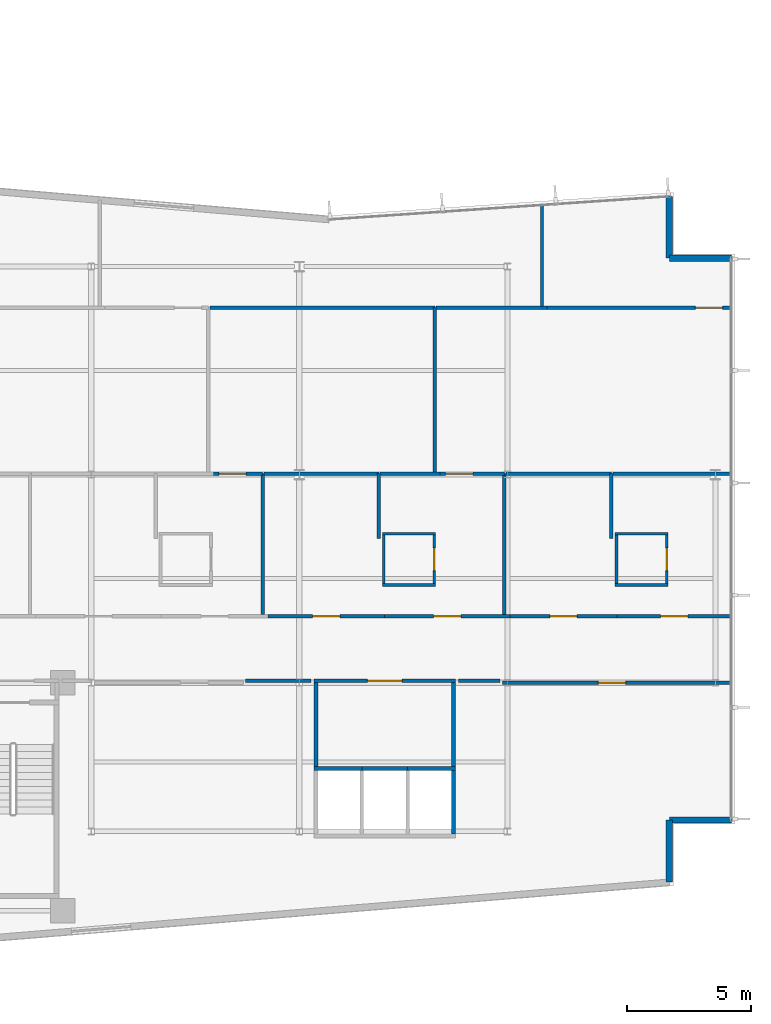
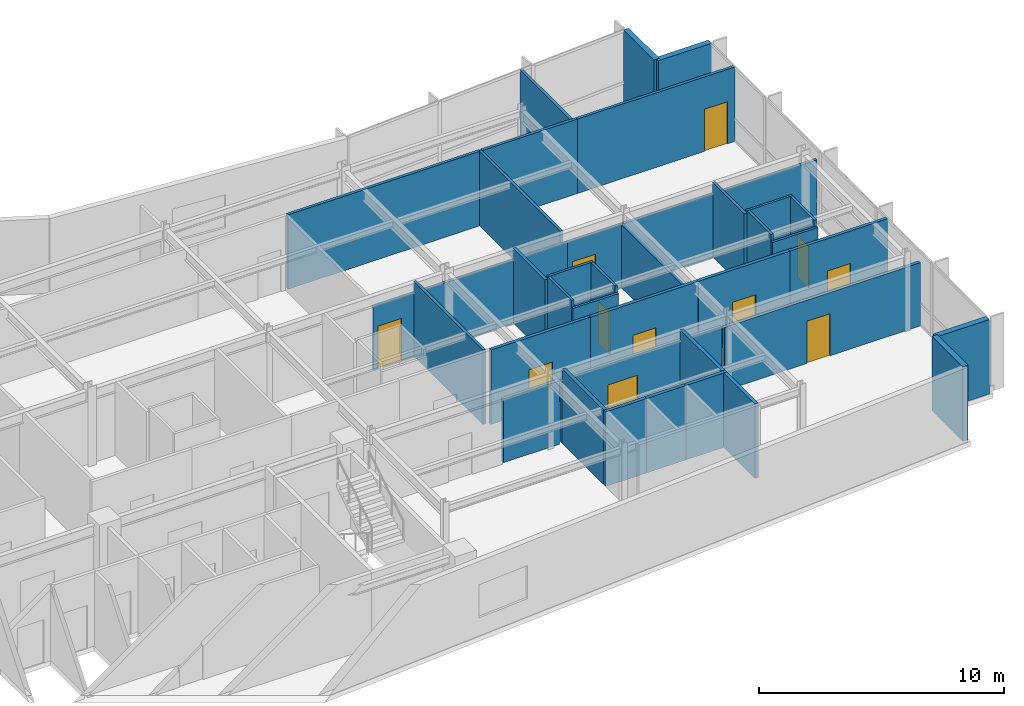
# One storey, part 13 of 17: 41 walls, 11 doors, 11 openings.
"""IFC4 building model written with IfcOpenShell, lengths in metres."""

from ifc_helpers import new_model, si_unit, direction, frame, frame_2d, origin, place, context, subcontext, project, spatial, rectangle, extrude, material, layer, layer_set, type_object, element, fill, save


model = new_model("IFC4")

# Units and contexts
model_context = context("Model", 3, precision=1e-05, world=origin(), true_north=direction((0.0, 1.0)))
body_context = subcontext(model_context, "Body", "Model", "MODEL_VIEW")
ifc_project = project(units=[si_unit("LENGTHUNIT", "METRE"), si_unit("AREAUNIT", "SQUARE_METRE"), si_unit("VOLUMEUNIT", "CUBIC_METRE"), si_unit("PLANEANGLEUNIT", "RADIAN"), si_unit("MASSUNIT", "GRAM", prefix="KILO")], contexts=[model_context])

# Site, building, storey
site_placement = place(None, origin())
site = spatial("IfcSite", under=ifc_project, at=site_placement, CompositionType="ELEMENT")
building_placement = place(site_placement, origin())
building = spatial("IfcBuilding", under=site, at=building_placement, Name="Varnakote Quay Hospital", CompositionType="ELEMENT")
storey_placement = place(building_placement, frame((0.0, 0.0, 184.199951171875)))
storey = spatial("IfcBuildingStorey", under=building, at=storey_placement, Name="L45", CompositionType="ELEMENT", Elevation=184.199951171875)

# Walls
ifc_material_1 = material(Name="Fire-rated acoustic gypsum stud wall", Category="gypsum")
ifc_layer_1 = layer(ifc_material_1, 0.159912109375)
ifc_layer_set_1 = layer_set([ifc_layer_1], Name="Fire-rated acoustic gypsum stud wall")
wall_type_1 = type_object("IfcWallType", Name="WL-COMP-160", PredefinedType="PARTITIONING", material=ifc_layer_set_1)
for number, where, z_axis, x_axis, name in (
    (1, (34.27001953125, 8.610107421875, 0.0), (0.0, 0.0, 1.0), (0.0, 1.0, 0.0), "L45 Mid-Rise Lift Lobby West Wall"),
    (2, (39.830078125, 8.610107421875, 0.0), (0.0, 0.0, 1.0), (0.0, 1.0, 0.0), "L45 Mid-Rise Lift Lobby East Wall"),
):
    element("IfcWall", number, at=place(storey_placement, frame(where, z_axis=z_axis, x_axis=x_axis)), inside=storey, type_object=wall_type_1, Name=name, PredefinedType="PARTITIONING", context=body_context, shape_type="SweptSolid", body=[
        extrude(rectangle(XDim=3.389892578125, YDim=0.159912109375, at=frame_2d((1.69482421875, 0.0))), origin(), (0.0, 0.0, 1.0), 3.7099609375),
    ])

# Wall, opening, door
wall_1_placement = place(storey_placement, frame((34.18994140625, 12.080078125, 0.0), z_axis=(0.0, 0.0, 1.0), x_axis=(1.0, 0.0, 0.0)))
wall_1 = element("IfcWall", 3, at=wall_1_placement, inside=storey, type_object=wall_type_1, Name="L45 Mid-Rise Lift Lobby North Wall", PredefinedType="PARTITIONING", context=body_context, shape_type="SweptSolid", body=[
    extrude(rectangle(XDim=5.719970703125, YDim=0.159912109375, at=frame_2d((2.85986328125, 0.0))), origin(), (0.0, 0.0, 1.0), 3.152099609375),
])
opening_1_placement = place(wall_1_placement, frame((2.159912109375, 0.0, 0.0)))
opening_1 = element("IfcOpeningElement", 4, at=opening_1_placement, cuts=wall_1, Name="Opening D-PMO-L45", PredefinedType="OPENING", context=body_context, shape_type="SweptSolid", body=[
    extrude(rectangle(XDim=1.39990234375, YDim=2.14990234375, at=frame_2d((0.699951171875, 1.074951171875))), frame((0.0, 0.08984375, 0.0), z_axis=(0.0, -1.0, 0.0), x_axis=(1.0, 0.0, 0.0)), (0.0, 0.0, 1.0), 0.179931640625),
])
ifc_material_2 = material(Name="Fire-rated acoustic plant room door")
door_type_1 = type_object("IfcDoorType", Name="DR-PLANT-FD60-1400x2150", OperationType="NOTDEFINED", PredefinedType="DOOR", material=ifc_material_2)
door_1_placement = place(opening_1_placement, origin())
door_1 = element("IfcDoor", 5, at=door_1_placement, inside=storey, type_object=door_type_1, Name="L45 Mid-Rise Traction Overrun Motor Plant Door", OperationType="SINGLE_SWING_LEFT", OverallHeight=2.14990234375, OverallWidth=1.39990234375, PredefinedType="DOOR", context=body_context, shape_type="SweptSolid", body=[
    extrude(rectangle(XDim=1.39990234375, YDim=2.14990234375, at=frame_2d((0.699951171875, 1.074951171875))), frame((0.0, 0.02490234375, 0.0), z_axis=(0.0, -1.0, 0.0), x_axis=(1.0, 0.0, 0.0)), (0.0, 0.0, 1.0), 0.050048828125),
])
fill(opening_1, door_1)

# Walls
wall_2_placement = place(storey_placement, frame((31.439208984375, 12.080078125, 0.0), z_axis=(0.0, 0.0, 1.0), x_axis=(1.0, 0.0, 0.0)))
element("IfcWall", 6, at=wall_2_placement, inside=storey, type_object=wall_type_1, Name="L45 Corridor South Gap Wall", PredefinedType="PARTITIONING", context=body_context, shape_type="SweptSolid", body=[
    extrude(rectangle(XDim=2.630859375, YDim=0.159912109375, at=frame_2d((1.3154296875, 0.0))), origin(), (0.0, 0.0, 1.0), 3.152099609375),
])
wall_3_placement = place(storey_placement, frame((40.030029296875, 12.080078125, 0.0), z_axis=(0.0, 0.0, 1.0), x_axis=(1.0, 0.0, 0.0)))
element("IfcWall", 7, at=wall_3_placement, inside=storey, type_object=wall_type_1, Name="L45 Corridor South Gap Wall", PredefinedType="PARTITIONING", context=body_context, shape_type="SweptSolid", body=[
    extrude(rectangle(XDim=1.6806640625, YDim=0.159912109375, at=frame_2d((0.84033203125, 0.0))), origin(), (0.0, 0.0, 1.0), 3.152099609375),
])
ifc_material_3 = material(Name="Moisture-resistant bathroom partition", Category="gypsum")
ifc_layer_2 = layer(ifc_material_3, 0.114990234375)
ifc_layer_set_2 = layer_set([ifc_layer_2], Name="Moisture-resistant bathroom partition")
wall_type_2 = type_object("IfcWallType", Name="WL-ENS-115", PredefinedType="PARTITIONING", material=ifc_layer_set_2)
wall_4_placement = place(storey_placement, frame((36.955078125, 15.952392578125, 0.0), z_axis=(0.0, 0.0, 1.0), x_axis=(1.0, 0.0, 0.0)))
element("IfcWall", 8, at=wall_4_placement, inside=storey, type_object=wall_type_2, Name="L45 Inpatient En-Suite Bathroom 03 S Wall", PredefinedType="PARTITIONING", context=body_context, shape_type="SweptSolid", body=[
    extrude(rectangle(XDim=2.14990234375, YDim=0.114990234375, at=frame_2d((1.074951171875, 0.0))), origin(), (0.0, 0.0, 1.0), 3.381103515625),
])
wall_5_placement = place(storey_placement, frame((36.955078125, 18.017578125, 0.0), z_axis=(0.0, 0.0, 1.0), x_axis=(1.0, 0.0, 0.0)))
element("IfcWall", 9, at=wall_5_placement, inside=storey, type_object=wall_type_2, Name="L45 Inpatient En-Suite Bathroom 03 N Wall", PredefinedType="PARTITIONING", context=body_context, shape_type="SweptSolid", body=[
    extrude(rectangle(XDim=2.14990234375, YDim=0.114990234375, at=frame_2d((1.074951171875, 0.0))), origin(), (0.0, 0.0, 1.0), 3.7099609375),
])
wall_6_placement = place(storey_placement, frame((37.012451171875, 16.010009765625, 0.0), z_axis=(0.0, 0.0, 1.0), x_axis=(0.0, 1.0, 0.0)))
element("IfcWall", 10, at=wall_6_placement, inside=storey, type_object=wall_type_2, Name="L45 Inpatient En-Suite Bathroom 03 W Wall", PredefinedType="PARTITIONING", context=body_context, shape_type="SweptSolid", body=[
    extrude(rectangle(XDim=1.949951171875, YDim=0.114990234375, at=frame_2d((0.97509765625, 0.0))), origin(), (0.0, 0.0, 1.0), 3.7099609375),
])

# Wall, opening, door
wall_7_placement = place(storey_placement, frame((39.047607421875, 16.010009765625, 0.0), z_axis=(0.0, 0.0, 1.0), x_axis=(0.0, 1.0, 0.0)))
wall_7 = element("IfcWall", 11, at=wall_7_placement, inside=storey, type_object=wall_type_2, Name="L45 Inpatient En-Suite Bathroom 03 E Wall", PredefinedType="PARTITIONING", context=body_context, shape_type="SweptSolid", body=[
    extrude(rectangle(XDim=1.949951171875, YDim=0.114990234375, at=frame_2d((0.97509765625, 0.0))), origin(), (0.0, 0.0, 1.0), 3.7099609375),
])
opening_2_placement = place(wall_7_placement, frame((0.514892578125, 0.0, 0.0)))
opening_2 = element("IfcOpeningElement", 12, at=opening_2_placement, cuts=wall_7, Name="Opening D-L45-ENS03", PredefinedType="OPENING", context=body_context, shape_type="SweptSolid", body=[
    extrude(rectangle(XDim=0.919921875, YDim=2.10009765625, at=frame_2d((0.4599609375, 1.050048828125))), frame((0.0, 0.0673828125, 0.0), z_axis=(0.0, -1.0, 0.0), x_axis=(1.0, 0.0, 0.0)), (0.0, 0.0, 1.0), 0.135009765625),
])
ifc_material_4 = material(Name="Moisture-sealed en-suite bathroom door")
door_type_2 = type_object("IfcDoorType", Name="DR-ENS-920x2100", OperationType="NOTDEFINED", PredefinedType="DOOR", material=ifc_material_4)
door_2_placement = place(opening_2_placement, origin())
door_2 = element("IfcDoor", 13, at=door_2_placement, inside=storey, type_object=door_type_2, Name="L45 Inpatient En-Suite Bathroom 03 Door", OperationType="SINGLE_SWING_LEFT", OverallHeight=2.10009765625, OverallWidth=0.919921875, PredefinedType="DOOR", context=body_context, shape_type="SweptSolid", body=[
    extrude(rectangle(XDim=0.919921875, YDim=2.10009765625, at=frame_2d((0.4599609375, 1.050048828125))), frame((0.0, 0.02490234375, 0.0), z_axis=(0.0, -1.0, 0.0), x_axis=(1.0, 0.0, 0.0)), (0.0, 0.0, 1.0), 0.050048828125),
])
fill(opening_2, door_2)

# Walls
wall_8_placement = place(storey_placement, frame((46.344970703125, 15.952392578125, 0.0), z_axis=(0.0, 0.0, 1.0), x_axis=(1.0, 0.0, 0.0)))
element("IfcWall", 14, at=wall_8_placement, inside=storey, type_object=wall_type_2, Name="L45 Inpatient En-Suite Bathroom 04 S Wall", PredefinedType="PARTITIONING", context=body_context, shape_type="SweptSolid", body=[
    extrude(rectangle(XDim=2.150146484375, YDim=0.114990234375, at=frame_2d((1.0751953125, 0.0))), origin(), (0.0, 0.0, 1.0), 3.381103515625),
])
wall_9_placement = place(storey_placement, frame((46.344970703125, 18.017578125, 0.0), z_axis=(0.0, 0.0, 1.0), x_axis=(1.0, 0.0, 0.0)))
element("IfcWall", 15, at=wall_9_placement, inside=storey, type_object=wall_type_2, Name="L45 Inpatient En-Suite Bathroom 04 N Wall", PredefinedType="PARTITIONING", context=body_context, shape_type="SweptSolid", body=[
    extrude(rectangle(XDim=2.150146484375, YDim=0.114990234375, at=frame_2d((1.0751953125, 0.0))), origin(), (0.0, 0.0, 1.0), 3.7099609375),
])
wall_10_placement = place(storey_placement, frame((46.402587890625, 16.010009765625, 0.0), z_axis=(0.0, 0.0, 1.0), x_axis=(0.0, 1.0, 0.0)))
element("IfcWall", 16, at=wall_10_placement, inside=storey, type_object=wall_type_2, Name="L45 Inpatient En-Suite Bathroom 04 W Wall", PredefinedType="PARTITIONING", context=body_context, shape_type="SweptSolid", body=[
    extrude(rectangle(XDim=1.949951171875, YDim=0.114990234375, at=frame_2d((0.97509765625, 0.0))), origin(), (0.0, 0.0, 1.0), 3.7099609375),
])

# Wall, opening, door
wall_11_placement = place(storey_placement, frame((48.4375, 16.010009765625, 0.0), z_axis=(0.0, 0.0, 1.0), x_axis=(0.0, 1.0, 0.0)))
wall_11 = element("IfcWall", 17, at=wall_11_placement, inside=storey, type_object=wall_type_2, Name="L45 Inpatient En-Suite Bathroom 04 E Wall", PredefinedType="PARTITIONING", context=body_context, shape_type="SweptSolid", body=[
    extrude(rectangle(XDim=1.949951171875, YDim=0.114990234375, at=frame_2d((0.97509765625, 0.0))), origin(), (0.0, 0.0, 1.0), 3.7099609375),
])
opening_3_placement = place(wall_11_placement, frame((0.514892578125, 0.0, 0.0)))
opening_3 = element("IfcOpeningElement", 18, at=opening_3_placement, cuts=wall_11, Name="Opening D-L45-ENS04", PredefinedType="OPENING", context=body_context, shape_type="SweptSolid", body=[
    extrude(rectangle(XDim=0.919921875, YDim=2.10009765625, at=frame_2d((0.4599609375, 1.050048828125))), frame((0.0, 0.0673828125, 0.0), z_axis=(0.0, -1.0, 0.0), x_axis=(1.0, 0.0, 0.0)), (0.0, 0.0, 1.0), 0.135009765625),
])
door_3_placement = place(opening_3_placement, origin())
door_3 = element("IfcDoor", 19, at=door_3_placement, inside=storey, type_object=door_type_2, Name="L45 Inpatient En-Suite Bathroom 04 Door", OperationType="SINGLE_SWING_RIGHT", OverallHeight=2.10009765625, OverallWidth=0.919921875, PredefinedType="DOOR", context=body_context, shape_type="SweptSolid", body=[
    extrude(rectangle(XDim=0.919921875, YDim=2.10009765625, at=frame_2d((0.4599609375, 1.050048828125))), frame((0.0, 0.02490234375, 0.0), z_axis=(0.0, -1.0, 0.0), x_axis=(1.0, 0.0, 0.0)), (0.0, 0.0, 1.0), 0.050048828125),
])
fill(opening_3, door_3)

# Walls
ifc_material_5 = material(Name="Precast concrete N50 (f'c 50 MPa)", Category="concrete")
ifc_layer_3 = layer(ifc_material_5, 0.260009765625)
ifc_layer_set_3 = layer_set([ifc_layer_3], Name="Precast concrete N50 (f'c 50 MPa)")
wall_type_3 = type_object("IfcWallType", Name="WL-EXT-BRICK-260", PredefinedType="STANDARD", material=ifc_layer_set_3)
wall_12_placement = place(storey_placement, frame((48.5400390625, 3.947509765625, 0.0), z_axis=(0.0, 0.0, 1.0), x_axis=(0.0, 1.0, 0.0)))
element("IfcWall", 20, at=wall_12_placement, inside=storey, type_object=wall_type_3, Name="L45 Brick-Faced Precast Exterior Wall", PredefinedType="STANDARD", context=body_context, shape_type="SweptSolid", body=[
    extrude(rectangle(XDim=2.512451171875, YDim=0.260009765625, at=frame_2d((1.25634765625, 0.0))), origin(), (0.0, 0.0, 1.0), 3.7099609375),
])
for number, where, z_axis, x_axis, name in (
    (21, (48.5400390625, 6.4599609375, 0.0), (0.0, 0.0, 1.0), (1.0, 0.0, 0.0), "L45 Brick-Faced Precast Exterior Wall"),
    (22, (51.0400390625, 29.139892578125, 0.0), (0.0, 0.0, 1.0), (-1.0, 0.0, 0.0), "L45 Brick-Faced Precast Exterior Wall"),
):
    element("IfcWall", number, at=place(storey_placement, frame(where, z_axis=z_axis, x_axis=x_axis)), inside=storey, type_object=wall_type_3, Name=name, PredefinedType="STANDARD", context=body_context, shape_type="SweptSolid", body=[
        extrude(rectangle(XDim=2.5, YDim=0.260009765625, at=frame_2d((1.25, 0.0))), origin(), (0.0, 0.0, 1.0), 3.7099609375),
    ])
wall_13_placement = place(storey_placement, frame((48.5400390625, 29.139892578125, 0.0), z_axis=(0.0, 0.0, 1.0), x_axis=(0.0, 1.0, 0.0)))
element("IfcWall", 23, at=wall_13_placement, inside=storey, type_object=wall_type_3, Name="L45 Brick-Faced Precast Exterior Wall", PredefinedType="STANDARD", context=body_context, shape_type="SweptSolid", body=[
    extrude(rectangle(XDim=2.489013671875, YDim=0.260009765625, at=frame_2d((1.24462890625, 0.0))), origin(), (0.0, 0.0, 1.0), 3.7099609375),
])
ifc_material_6 = material(Name="Concrete N50 (f'c 50 MPa)", Category="concrete")
ifc_layer_4 = layer(ifc_material_6, 0.159912109375)
ifc_layer_set_4 = layer_set([ifc_layer_4], Name="Concrete N50 (f'c 50 MPa)")
wall_type_4 = type_object("IfcWallType", Name="WL-SHAFT-N50-160", PredefinedType="SHEAR", material=ifc_layer_set_4)
wall_14_placement = place(storey_placement, frame((39.830078125, 5.89990234375, 0.0), z_axis=(0.0, 0.0, 1.0), x_axis=(0.0, 1.0, 0.0)))
element("IfcWall", 24, at=wall_14_placement, inside=storey, type_object=wall_type_4, Name="L45 MID Lift Bank East Shear Wall", PredefinedType="SHEAR", context=body_context, shape_type="SweptSolid", body=[
    extrude(rectangle(XDim=2.550048828125, YDim=0.159912109375, at=frame_2d((1.27490234375, 0.0))), origin(), (0.0, 0.0, 1.0), 3.7099609375),
])
wall_15_placement = place(storey_placement, frame((34.18994140625, 8.530029296875, 0.0), z_axis=(0.0, 0.0, 1.0), x_axis=(1.0, 0.0, 0.0)))
element("IfcWall", 25, at=wall_15_placement, inside=storey, type_object=wall_type_4, Name="L45 LF-PM1 Hoistway Front Wall", PredefinedType="SHEAR", context=body_context, shape_type="SweptSolid", body=[
    extrude(rectangle(XDim=1.93505859375, YDim=0.159912109375, at=frame_2d((0.967529296875, 0.0))), origin(), (0.0, 0.0, 1.0), 3.7099609375),
])
wall_16_placement = place(storey_placement, frame((36.125, 8.530029296875, 0.0), z_axis=(0.0, 0.0, 1.0), x_axis=(1.0, 0.0, 0.0)))
element("IfcWall", 26, at=wall_16_placement, inside=storey, type_object=wall_type_4, Name="L45 LF-PM2 Hoistway Front Wall", PredefinedType="SHEAR", context=body_context, shape_type="SweptSolid", body=[
    extrude(rectangle(XDim=1.85009765625, YDim=0.159912109375, at=frame_2d((0.925048828125, 0.0))), origin(), (0.0, 0.0, 1.0), 3.7099609375),
])
wall_17_placement = place(storey_placement, frame((37.97509765625, 8.530029296875, 0.0), z_axis=(0.0, 0.0, 1.0), x_axis=(1.0, 0.0, 0.0)))
element("IfcWall", 27, at=wall_17_placement, inside=storey, type_object=wall_type_4, Name="L45 LF-PM3 Hoistway Front Wall", PredefinedType="SHEAR", context=body_context, shape_type="SweptSolid", body=[
    extrude(rectangle(XDim=1.934814453125, YDim=0.159912109375, at=frame_2d((0.96728515625, 0.0))), origin(), (0.0, 0.0, 1.0), 3.7099609375),
])
ifc_material_7 = material(Name="Smoke-proof clinical partition", Category="gypsum")
ifc_layer_5 = layer(ifc_material_7, 0.135009765625)
ifc_layer_set_5 = layer_set([ifc_layer_5], Name="Smoke-proof clinical partition")
wall_type_5 = type_object("IfcWallType", Name="WL-SMOKE-135", PredefinedType="PARTITIONING", material=ifc_layer_set_5)
wall_18_placement = place(storey_placement, frame((32.1201171875, 14.760009765625, 0.0), z_axis=(0.0, 0.0, 1.0), x_axis=(0.0, 1.0, 0.0)))
element("IfcWall", 28, at=wall_18_placement, inside=storey, type_object=wall_type_5, Name="L45 Clinical Interior Partition", PredefinedType="PARTITIONING", context=body_context, shape_type="SweptSolid", body=[
    extrude(rectangle(XDim=5.679931640625, YDim=0.135009765625, at=frame_2d((2.83984375, 0.0))), origin(), (0.0, 0.0, 1.0), 3.7099609375),
])

# Wall, opening, door
wall_19_placement = place(storey_placement, frame((32.1201171875, 20.43994140625, 0.0), z_axis=(0.0, 0.0, 1.0), x_axis=(-1.0, 0.0, 0.0)))
wall_19 = element("IfcWall", 29, at=wall_19_placement, inside=storey, type_object=wall_type_5, Name="L45 Clinical Interior Partition", PredefinedType="PARTITIONING", context=body_context, shape_type="SweptSolid", body=[
    extrude(rectangle(XDim=1.980712890625, YDim=0.135009765625, at=frame_2d((0.990234375, 0.0))), origin(), (0.0, 0.0, 1.0), 3.152099609375),
])
opening_4_placement = place(wall_19_placement, frame((0.66845703125, 0.0, 0.0)))
opening_4 = element("IfcOpeningElement", 30, at=opening_4_placement, cuts=wall_19, Name="Opening D-L45-MD08", PredefinedType="OPENING", context=body_context, shape_type="SweptSolid", body=[
    extrude(rectangle(XDim=1.10009765625, YDim=2.10009765625, at=frame_2d((0.550048828125, 1.050048828125))), frame((0.0, 0.077392578125, 0.0), z_axis=(0.0, -1.0, 0.0), x_axis=(1.0, 0.0, 0.0)), (0.0, 0.0, 1.0), 0.155029296875),
])
ifc_material_8 = material(Name="Acoustic timber clinical consult door", Category="wood")
door_type_3 = type_object("IfcDoorType", Name="DR-CLIN-FD30S-1100x2100", OperationType="NOTDEFINED", PredefinedType="DOOR", material=ifc_material_8)
door_4_placement = place(opening_4_placement, origin())
door_4 = element("IfcDoor", 31, at=door_4_placement, inside=storey, type_object=door_type_3, Name="L45 Neuro-Rehab Clinical Consultation Suite Door", OperationType="SINGLE_SWING_RIGHT", OverallHeight=2.10009765625, OverallWidth=1.10009765625, PredefinedType="DOOR", context=body_context, shape_type="SweptSolid", body=[
    extrude(rectangle(XDim=1.10009765625, YDim=2.10009765625, at=frame_2d((0.550048828125, 1.050048828125))), frame((0.0, 0.02490234375, 0.0), z_axis=(0.0, -1.0, 0.0), x_axis=(1.0, 0.0, 0.0)), (0.0, 0.0, 1.0), 0.050048828125),
])
fill(opening_4, door_4)

# Walls
wall_20_placement = place(storey_placement, frame((36.81005859375, 17.83251953125, 0.0), z_axis=(0.0, 0.0, 1.0), x_axis=(0.0, 1.0, 0.0)))
element("IfcWall", 32, at=wall_20_placement, inside=storey, type_object=wall_type_5, Name="L45 Clinical Interior Partition", PredefinedType="PARTITIONING", context=body_context, shape_type="SweptSolid", body=[
    extrude(rectangle(XDim=2.607421875, YDim=0.135009765625, at=frame_2d((1.3037109375, 0.0))), origin(), (0.0, 0.0, 1.0), 3.7099609375),
])
wall_21_placement = place(storey_placement, frame((36.81005859375, 20.43994140625, 0.0), z_axis=(0.0, 0.0, 1.0), x_axis=(-1.0, 0.0, 0.0)))
element("IfcWall", 33, at=wall_21_placement, inside=storey, type_object=wall_type_5, Name="L45 Clinical Interior Partition", PredefinedType="PARTITIONING", context=body_context, shape_type="SweptSolid", body=[
    extrude(rectangle(XDim=4.632568359375, YDim=0.135009765625, at=frame_2d((2.31640625, 0.0))), origin(), (0.0, 0.0, 1.0), 3.152099609375),
])
wall_22_placement = place(storey_placement, frame((41.8798828125, 14.760009765625, 0.0), z_axis=(0.0, 0.0, 1.0), x_axis=(0.0, 1.0, 0.0)))
element("IfcWall", 34, at=wall_22_placement, inside=storey, type_object=wall_type_5, Name="L45 Clinical Interior Partition", PredefinedType="PARTITIONING", context=body_context, shape_type="SweptSolid", body=[
    extrude(rectangle(XDim=5.679931640625, YDim=0.135009765625, at=frame_2d((2.83984375, 0.0))), origin(), (0.0, 0.0, 1.0), 3.152099609375),
])
wall_23_placement = place(storey_placement, frame((39.277587890625, 20.43994140625, 0.0), z_axis=(0.0, 0.0, 1.0), x_axis=(-1.0, 0.0, 0.0)))
element("IfcWall", 35, at=wall_23_placement, inside=storey, type_object=wall_type_5, Name="L45 Clinical Interior Partition", PredefinedType="PARTITIONING", context=body_context, shape_type="SweptSolid", body=[
    extrude(rectangle(XDim=2.41015625, YDim=0.135009765625, at=frame_2d((1.205078125, 0.0))), origin(), (0.0, 0.0, 1.0), 3.152099609375),
])

# Wall, opening, door
wall_24_placement = place(storey_placement, frame((41.8798828125, 20.43994140625, 0.0), z_axis=(0.0, 0.0, 1.0), x_axis=(-1.0, 0.0, 0.0)))
wall_24 = element("IfcWall", 36, at=wall_24_placement, inside=storey, type_object=wall_type_5, Name="L45 Clinical Interior Partition", PredefinedType="PARTITIONING", context=body_context, shape_type="SweptSolid", body=[
    extrude(rectangle(XDim=2.600341796875, YDim=0.135009765625, at=frame_2d((1.30029296875, 0.0))), origin(), (0.0, 0.0, 1.0), 3.152099609375),
])
opening_5_placement = place(wall_24_placement, frame((1.27294921875, 0.0, 0.0)))
opening_5 = element("IfcOpeningElement", 37, at=opening_5_placement, cuts=wall_24, Name="Opening D-L45-MD09", PredefinedType="OPENING", context=body_context, shape_type="SweptSolid", body=[
    extrude(rectangle(XDim=1.10009765625, YDim=2.10009765625, at=frame_2d((0.550048828125, 1.050048828125))), frame((0.0, 0.077392578125, 0.0), z_axis=(0.0, -1.0, 0.0), x_axis=(1.0, 0.0, 0.0)), (0.0, 0.0, 1.0), 0.155029296875),
])
door_5_placement = place(opening_5_placement, origin())
door_5 = element("IfcDoor", 38, at=door_5_placement, inside=storey, type_object=door_type_3, Name="L45 Neurology Clinical Teaching Room Door", OperationType="SINGLE_SWING_LEFT", OverallHeight=2.10009765625, OverallWidth=1.10009765625, PredefinedType="DOOR", context=body_context, shape_type="SweptSolid", body=[
    extrude(rectangle(XDim=1.10009765625, YDim=2.10009765625, at=frame_2d((0.550048828125, 1.050048828125))), frame((0.0, 0.02490234375, 0.0), z_axis=(0.0, -1.0, 0.0), x_axis=(1.0, 0.0, 0.0)), (0.0, 0.0, 1.0), 0.050048828125),
])
fill(opening_5, door_5)

# Walls
wall_25_placement = place(storey_placement, frame((46.199951171875, 17.83251953125, 0.0), z_axis=(0.0, 0.0, 1.0), x_axis=(0.0, 1.0, 0.0)))
element("IfcWall", 39, at=wall_25_placement, inside=storey, type_object=wall_type_5, Name="L45 Clinical Interior Partition", PredefinedType="PARTITIONING", context=body_context, shape_type="SweptSolid", body=[
    extrude(rectangle(XDim=2.607421875, YDim=0.135009765625, at=frame_2d((1.3037109375, 0.0))), origin(), (0.0, 0.0, 1.0), 3.7099609375),
])
wall_26_placement = place(storey_placement, frame((46.199951171875, 20.43994140625, 0.0), z_axis=(0.0, 0.0, 1.0), x_axis=(-1.0, 0.0, 0.0)))
element("IfcWall", 40, at=wall_26_placement, inside=storey, type_object=wall_type_5, Name="L45 Clinical Interior Partition", PredefinedType="PARTITIONING", context=body_context, shape_type="SweptSolid", body=[
    extrude(rectangle(XDim=4.262451171875, YDim=0.135009765625, at=frame_2d((2.13134765625, 0.0))), origin(), (0.0, 0.0, 1.0), 3.152099609375),
])
wall_27_placement = place(storey_placement, frame((51.0400390625, 20.43994140625, 0.0), z_axis=(0.0, 0.0, 1.0), x_axis=(-1.0, 0.0, 0.0)))
element("IfcWall", 41, at=wall_27_placement, inside=storey, type_object=wall_type_5, Name="L45 Clinical Interior Partition", PredefinedType="PARTITIONING", context=body_context, shape_type="SweptSolid", body=[
    extrude(rectangle(XDim=4.782470703125, YDim=0.135009765625, at=frame_2d((2.39111328125, 0.0))), origin(), (0.0, 0.0, 1.0), 3.152099609375),
])
wall_28_placement = place(storey_placement, frame((39.070068359375, 20.49755859375, 0.0), z_axis=(0.0, 0.0, 1.0), x_axis=(0.0, 1.0, 0.0)))
element("IfcWall", 42, at=wall_28_placement, inside=storey, type_object=wall_type_5, Name="L45 Clinical Interior Partition", PredefinedType="PARTITIONING", context=body_context, shape_type="SweptSolid", body=[
    extrude(rectangle(XDim=6.642333984375, YDim=0.135009765625, at=frame_2d((3.3212890625, 0.0))), origin(), (0.0, 0.0, 1.0), 3.7099609375),
])
wall_29_placement = place(storey_placement, frame((39.070068359375, 27.139892578125, 0.0), z_axis=(0.0, 0.0, 1.0), x_axis=(-1.0, 0.0, 0.0)))
element("IfcWall", 43, at=wall_29_placement, inside=storey, type_object=wall_type_5, Name="L45 Clinical Interior Partition", PredefinedType="PARTITIONING", context=body_context, shape_type="SweptSolid", body=[
    extrude(rectangle(XDim=9.08251953125, YDim=0.135009765625, at=frame_2d((4.541259765625, 0.0))), origin(), (0.0, 0.0, 1.0), 3.7099609375),
])
wall_30_placement = place(storey_placement, frame((43.607421875, 27.139892578125, 0.0), z_axis=(0.0, 0.0, 1.0), x_axis=(-1.0, 0.0, 0.0)))
element("IfcWall", 44, at=wall_30_placement, inside=storey, type_object=wall_type_5, Name="L45 Clinical Interior Partition", PredefinedType="PARTITIONING", context=body_context, shape_type="SweptSolid", body=[
    extrude(rectangle(XDim=4.47998046875, YDim=0.135009765625, at=frame_2d((2.239990234375, 0.0))), origin(), (0.0, 0.0, 1.0), 3.7099609375),
])

# Wall, opening, door
wall_31_placement = place(storey_placement, frame((51.0400390625, 27.139892578125, 0.0), z_axis=(0.0, 0.0, 1.0), x_axis=(-1.0, 0.0, 0.0)))
wall_31 = element("IfcWall", 45, at=wall_31_placement, inside=storey, type_object=wall_type_5, Name="L45 Clinical Interior Partition", PredefinedType="PARTITIONING", context=body_context, shape_type="SweptSolid", body=[
    extrude(rectangle(XDim=7.430419921875, YDim=0.135009765625, at=frame_2d((3.71533203125, 0.0))), origin(), (0.0, 0.0, 1.0), 3.7099609375),
])
opening_6_placement = place(wall_31_placement, frame((0.348388671875, 0.0, 0.0)))
opening_6 = element("IfcOpeningElement", 46, at=opening_6_placement, cuts=wall_31, Name="Opening D-L45-MD13", PredefinedType="OPENING", context=body_context, shape_type="SweptSolid", body=[
    extrude(rectangle(XDim=1.10009765625, YDim=2.10009765625, at=frame_2d((0.550048828125, 1.050048828125))), frame((0.0, 0.077392578125, 0.0), z_axis=(0.0, -1.0, 0.0), x_axis=(1.0, 0.0, 0.0)), (0.0, 0.0, 1.0), 0.155029296875),
])
door_6_placement = place(opening_6_placement, origin())
door_6 = element("IfcDoor", 47, at=door_6_placement, inside=storey, type_object=door_type_3, Name="L45 Neurology Clinical Teaching Room Door", OperationType="SINGLE_SWING_RIGHT", OverallHeight=2.10009765625, OverallWidth=1.10009765625, PredefinedType="DOOR", context=body_context, shape_type="SweptSolid", body=[
    extrude(rectangle(XDim=1.10009765625, YDim=2.10009765625, at=frame_2d((0.550048828125, 1.050048828125))), frame((0.0, 0.02490234375, 0.0), z_axis=(0.0, -1.0, 0.0), x_axis=(1.0, 0.0, 0.0)), (0.0, 0.0, 1.0), 0.050048828125),
])
fill(opening_6, door_6)

# Wall
wall_32_placement = place(storey_placement, frame((43.39990234375, 27.197509765625, 0.0), z_axis=(0.0, 0.0, 1.0), x_axis=(0.0, 1.0, 0.0)))
element("IfcWall", 48, at=wall_32_placement, inside=storey, type_object=wall_type_5, Name="L45 Clinical Interior Partition", PredefinedType="PARTITIONING", context=body_context, shape_type="SweptSolid", body=[
    extrude(rectangle(XDim=4.081787109375, YDim=0.135009765625, at=frame_2d((2.041015625, 0.0))), origin(), (0.0, 0.0, 1.0), 3.7099609375),
])

# Wall, opening, door
ifc_material_9 = material(Name="Fire-rated clinical gypsum partition", Category="gypsum")
ifc_layer_6 = layer(ifc_material_9, 0.14990234375)
ifc_layer_set_6 = layer_set([ifc_layer_6], Name="Fire-rated clinical gypsum partition")
wall_type_6 = type_object("IfcWallType", Name="WL-WARD-150", PredefinedType="PARTITIONING", material=ifc_layer_set_6)
wall_33_placement = place(storey_placement, frame((51.0400390625, 12.0, 0.0), z_axis=(0.0, 0.0, 1.0), x_axis=(-1.0, 0.0, 0.0)))
wall_33 = element("IfcWall", 49, at=wall_33_placement, inside=storey, type_object=wall_type_6, Name="L45 Clinical Interior Partition", PredefinedType="PARTITIONING", context=body_context, shape_type="SweptSolid", body=[
    extrude(rectangle(XDim=9.239990234375, YDim=0.14990234375, at=frame_2d((4.6201171875, 0.0))), origin(), (0.0, 0.0, 1.0), 3.152099609375),
])
opening_7_placement = place(wall_33_placement, frame((4.263427734375, 0.0, 0.0)))
opening_7 = element("IfcOpeningElement", 50, at=opening_7_placement, cuts=wall_33, Name="Opening D-L45-SE1", PredefinedType="OPENING", context=body_context, shape_type="SweptSolid", body=[
    extrude(rectangle(XDim=1.10009765625, YDim=2.10009765625, at=frame_2d((0.550048828125, 1.050048828125))), frame((0.0, 0.0849609375, 0.0), z_axis=(0.0, -1.0, 0.0), x_axis=(1.0, 0.0, 0.0)), (0.0, 0.0, 1.0), 0.169921875),
])
door_7_placement = place(opening_7_placement, origin())
door_7 = element("IfcDoor", 51, at=door_7_placement, inside=storey, type_object=door_type_3, Name="L45 Clinical Biomedical Engineering Office Door", OperationType="SINGLE_SWING_RIGHT", OverallHeight=2.10009765625, OverallWidth=1.10009765625, PredefinedType="DOOR", context=body_context, shape_type="SweptSolid", body=[
    extrude(rectangle(XDim=1.10009765625, YDim=2.10009765625, at=frame_2d((0.550048828125, 1.050048828125))), frame((0.0, 0.02490234375, 0.0), z_axis=(0.0, -1.0, 0.0), x_axis=(1.0, 0.0, 0.0)), (0.0, 0.0, 1.0), 0.050048828125),
])
fill(opening_7, door_7)

wall_34_placement = place(storey_placement, frame((37.035888671875, 14.679931640625, 0.0), z_axis=(0.0, 0.0, 1.0), x_axis=(-1.0, 0.0, 0.0)))
wall_34 = element("IfcWall", 52, at=wall_34_placement, inside=storey, type_object=wall_type_6, Name="L45 Clinical Interior Partition", PredefinedType="PARTITIONING", context=body_context, shape_type="SweptSolid", body=[
    extrude(rectangle(XDim=4.68798828125, YDim=0.14990234375, at=frame_2d((2.343994140625, 0.0))), origin(), (0.0, 0.0, 1.0), 3.7099609375),
])
opening_8_placement = place(wall_34_placement, frame((1.7939453125, 0.0, 0.0)))
opening_8 = element("IfcOpeningElement", 53, at=opening_8_placement, cuts=wall_34, Name="Opening D-L45-MD05", PredefinedType="OPENING", context=body_context, shape_type="SweptSolid", body=[
    extrude(rectangle(XDim=1.10009765625, YDim=2.10009765625, at=frame_2d((0.550048828125, 1.050048828125))), frame((0.0, 0.0849609375, 0.0), z_axis=(0.0, -1.0, 0.0), x_axis=(1.0, 0.0, 0.0)), (0.0, 0.0, 1.0), 0.169921875),
])
door_8_placement = place(opening_8_placement, origin())
door_8 = element("IfcDoor", 54, at=door_8_placement, inside=storey, type_object=door_type_3, Name="L45 Neurology Clinical Teaching Room Door", OperationType="SINGLE_SWING_LEFT", OverallHeight=2.10009765625, OverallWidth=1.10009765625, PredefinedType="DOOR", context=body_context, shape_type="SweptSolid", body=[
    extrude(rectangle(XDim=1.10009765625, YDim=2.10009765625, at=frame_2d((0.550048828125, 1.050048828125))), frame((0.0, 0.02490234375, 0.0), z_axis=(0.0, -1.0, 0.0), x_axis=(1.0, 0.0, 0.0)), (0.0, 0.0, 1.0), 0.050048828125),
])
fill(opening_8, door_8)

wall_35_placement = place(storey_placement, frame((42.10595703125, 14.679931640625, 0.0), z_axis=(0.0, 0.0, 1.0), x_axis=(-1.0, 0.0, 0.0)))
wall_35 = element("IfcWall", 55, at=wall_35_placement, inside=storey, type_object=wall_type_6, Name="L45 Clinical Interior Partition", PredefinedType="PARTITIONING", context=body_context, shape_type="SweptSolid", body=[
    extrude(rectangle(XDim=5.06787109375, YDim=0.14990234375, at=frame_2d((2.533935546875, 0.0))), origin(), (0.0, 0.0, 1.0), 3.7099609375),
])
opening_9_placement = place(wall_35_placement, frame((1.98388671875, 0.0, 0.0)))
opening_9 = element("IfcOpeningElement", 56, at=opening_9_placement, cuts=wall_35, Name="Opening D-L45-BR03", PredefinedType="OPENING", context=body_context, shape_type="SweptSolid", body=[
    extrude(rectangle(XDim=1.10009765625, YDim=2.10009765625, at=frame_2d((0.550048828125, 1.050048828125))), frame((0.0, 0.0849609375, 0.0), z_axis=(0.0, -1.0, 0.0), x_axis=(1.0, 0.0, 0.0)), (0.0, 0.0, 1.0), 0.169921875),
])
door_9_placement = place(opening_9_placement, origin())
door_9 = element("IfcDoor", 57, at=door_9_placement, inside=storey, type_object=door_type_3, Name="L45 Inpatient Clinical Treatment Room 03 Door", OperationType="SINGLE_SWING_RIGHT", OverallHeight=2.10009765625, OverallWidth=1.10009765625, PredefinedType="DOOR", context=body_context, shape_type="SweptSolid", body=[
    extrude(rectangle(XDim=1.10009765625, YDim=2.10009765625, at=frame_2d((0.550048828125, 1.050048828125))), frame((0.0, 0.02490234375, 0.0), z_axis=(0.0, -1.0, 0.0), x_axis=(1.0, 0.0, 0.0)), (0.0, 0.0, 1.0), 0.050048828125),
])
fill(opening_9, door_9)

wall_36_placement = place(storey_placement, frame((46.426025390625, 14.679931640625, 0.0), z_axis=(0.0, 0.0, 1.0), x_axis=(-1.0, 0.0, 0.0)))
wall_36 = element("IfcWall", 58, at=wall_36_placement, inside=storey, type_object=wall_type_6, Name="L45 Clinical Interior Partition", PredefinedType="PARTITIONING", context=body_context, shape_type="SweptSolid", body=[
    extrude(rectangle(XDim=4.318115234375, YDim=0.14990234375, at=frame_2d((2.1591796875, 0.0))), origin(), (0.0, 0.0, 1.0), 3.7099609375),
])
opening_10_placement = place(wall_36_placement, frame((1.60888671875, 0.0, 0.0)))
opening_10 = element("IfcOpeningElement", 59, at=opening_10_placement, cuts=wall_36, Name="Opening D-L45-MD06", PredefinedType="OPENING", context=body_context, shape_type="SweptSolid", body=[
    extrude(rectangle(XDim=1.10009765625, YDim=2.10009765625, at=frame_2d((0.550048828125, 1.050048828125))), frame((0.0, 0.0849609375, 0.0), z_axis=(0.0, -1.0, 0.0), x_axis=(1.0, 0.0, 0.0)), (0.0, 0.0, 1.0), 0.169921875),
])
door_10_placement = place(opening_10_placement, origin())
door_10 = element("IfcDoor", 60, at=door_10_placement, inside=storey, type_object=door_type_3, Name="L45 Stroke Rehabilitation Treatment Suite Door", OperationType="SINGLE_SWING_LEFT", OverallHeight=2.10009765625, OverallWidth=1.10009765625, PredefinedType="DOOR", context=body_context, shape_type="SweptSolid", body=[
    extrude(rectangle(XDim=1.10009765625, YDim=2.10009765625, at=frame_2d((0.550048828125, 1.050048828125))), frame((0.0, 0.02490234375, 0.0), z_axis=(0.0, -1.0, 0.0), x_axis=(1.0, 0.0, 0.0)), (0.0, 0.0, 1.0), 0.050048828125),
])
fill(opening_10, door_10)

wall_37_placement = place(storey_placement, frame((51.0400390625, 14.679931640625, 0.0), z_axis=(0.0, 0.0, 1.0), x_axis=(-1.0, 0.0, 0.0)))
wall_37 = element("IfcWall", 61, at=wall_37_placement, inside=storey, type_object=wall_type_6, Name="L45 Clinical Interior Partition", PredefinedType="PARTITIONING", context=body_context, shape_type="SweptSolid", body=[
    extrude(rectangle(XDim=4.612060546875, YDim=0.14990234375, at=frame_2d((2.30615234375, 0.0))), origin(), (0.0, 0.0, 1.0), 3.7099609375),
])
opening_11_placement = place(wall_37_placement, frame((1.756103515625, 0.0, 0.0)))
opening_11 = element("IfcOpeningElement", 62, at=opening_11_placement, cuts=wall_37, Name="Opening D-L45-BR04", PredefinedType="OPENING", context=body_context, shape_type="SweptSolid", body=[
    extrude(rectangle(XDim=1.10009765625, YDim=2.10009765625, at=frame_2d((0.550048828125, 1.050048828125))), frame((0.0, 0.0849609375, 0.0), z_axis=(0.0, -1.0, 0.0), x_axis=(1.0, 0.0, 0.0)), (0.0, 0.0, 1.0), 0.169921875),
])
door_11_placement = place(opening_11_placement, origin())
door_11 = element("IfcDoor", 63, at=door_11_placement, inside=storey, type_object=door_type_3, Name="L45 Inpatient Clinical Treatment Room 04 Door", OperationType="SINGLE_SWING_RIGHT", OverallHeight=2.10009765625, OverallWidth=1.10009765625, PredefinedType="DOOR", context=body_context, shape_type="SweptSolid", body=[
    extrude(rectangle(XDim=1.10009765625, YDim=2.10009765625, at=frame_2d((0.550048828125, 1.050048828125))), frame((0.0, 0.02490234375, 0.0), z_axis=(0.0, -1.0, 0.0), x_axis=(1.0, 0.0, 0.0)), (0.0, 0.0, 1.0), 0.050048828125),
])
fill(opening_11, door_11)

save(model, "model.ifc")
